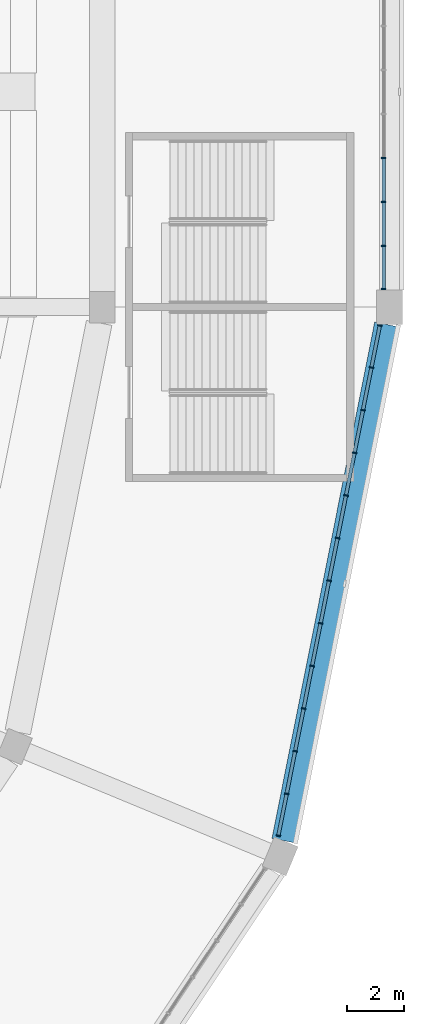
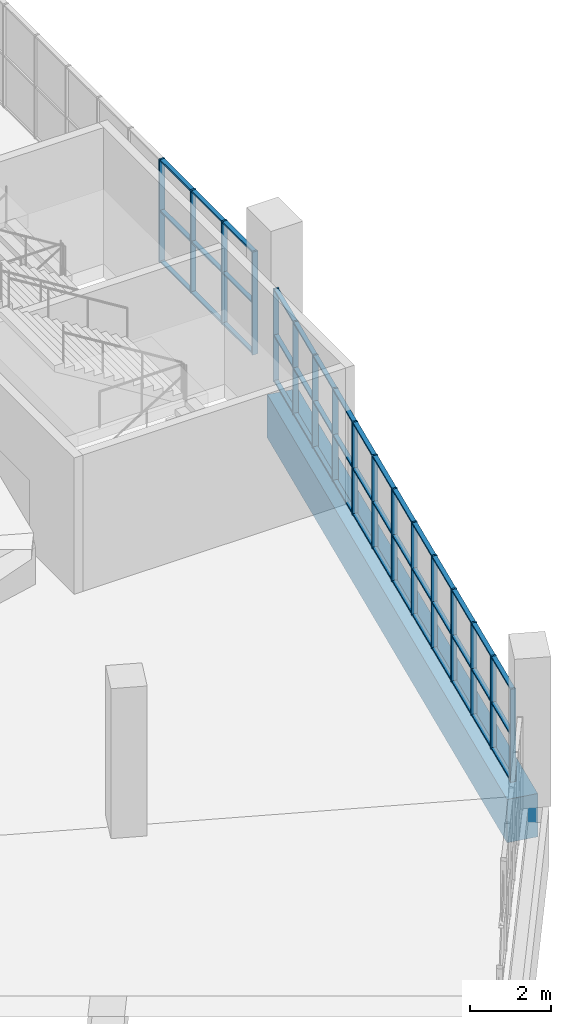
# One storey, part 31 of 249: 62 members, 1 beam, 2 elements without a shape of their own.
"""IFC4 building model written with IfcOpenShell, lengths in metres."""

from ifc_helpers import new_model, si_unit, direction, frame, origin, origin_2d, place, context, subcontext, project, spatial, rectangle, extrude, material, material_profile, profile_set, type_object, element, aggregate, save


model = new_model("IFC4")

# Units and contexts
model_context = context("Model", 3, precision=1e-05, world=origin(), true_north=direction((0.0, 1.0)))
body_context = subcontext(model_context, "Body", "Model", "MODEL_VIEW")
ifc_project = project(units=[si_unit("LENGTHUNIT", "METRE"), si_unit("AREAUNIT", "SQUARE_METRE"), si_unit("VOLUMEUNIT", "CUBIC_METRE"), si_unit("PLANEANGLEUNIT", "RADIAN"), si_unit("MASSUNIT", "GRAM", prefix="KILO")], contexts=[model_context])

# Site, building, storey
site_placement = place(None, origin())
site = spatial("IfcSite", under=ifc_project, at=site_placement, CompositionType="ELEMENT")
building_placement = place(site_placement, origin())
building = spatial("IfcBuilding", under=site, at=building_placement, Name="Ogive Plaza Stadium", CompositionType="ELEMENT")
storey_placement = place(building_placement, frame((0.0, 0.0, 13.5)))
storey = spatial("IfcBuildingStorey", under=building, at=storey_placement, Name="L03", CompositionType="ELEMENT", Elevation=13.5)

# Curtain wall, members
ifc_material_1 = material(Name="Bronze-anodised aluminium with laminated glass", Category="aluminium")
curtain_wall_type = type_object("IfcCurtainWallType", Name="Lancet curtain wall", PredefinedType="NOTDEFINED", material=ifc_material_1)
curtain_wall_1_placement = place(storey_placement, origin())
curtain_wall_1 = element("IfcCurtainWall", 1, at=curtain_wall_1_placement, inside=storey, type_object=curtain_wall_type, Name="CURTAIN WALL B07 L03", PredefinedType="NOTDEFINED")
ifc_material_2 = material(Name="Bronze-anodised aluminium", Category="aluminium")
ifc_material_profile_1 = material_profile(ifc_material_2, rectangle(XDim=0.14990234375, YDim=0.050048828125, at=origin_2d()), Name="AL 150x50")
ifc_profile_set_1 = profile_set([ifc_material_profile_1], Name="Bronze-anodised aluminium")
member_type_1 = type_object("IfcMemberType", Name="Curtain wall mullion 50x150", PredefinedType="MULLION", material=ifc_profile_set_1)
member_1_placement = place(storey_placement, frame((83.800048828125, -47.300048828125, 0.0), z_axis=(0.0, 0.0, 1.0), x_axis=(1.0, 0.0, 0.0)))
member_1 = element("IfcMember", 2, at=member_1_placement, type_object=member_type_1, Name="CW-B07-L03 mullion 7", PredefinedType="MULLION", context=body_context, shape_type="SweptSolid", body=[
    extrude(rectangle(XDim=0.14990234375, YDim=0.050048828125, at=origin_2d()), origin(), (0.0, 0.0, 1.0), 3.090087890625),
])
member_2_placement = place(storey_placement, frame((83.800048828125, -48.833251953125, 0.0), z_axis=(0.0, 0.0, 1.0), x_axis=(1.0, 0.0, 0.0)))
member_2 = element("IfcMember", 3, at=member_2_placement, type_object=member_type_1, Name="CW-B07-L03 mullion 8", PredefinedType="MULLION", context=body_context, shape_type="SweptSolid", body=[
    extrude(rectangle(XDim=0.14990234375, YDim=0.050048828125, at=origin_2d()), origin(), (0.0, 0.0, 1.0), 3.090087890625),
])
member_3_placement = place(storey_placement, frame((83.800048828125, -50.36669921875, 0.0), z_axis=(0.0, 0.0, 1.0), x_axis=(1.0, 0.0, 0.0)))
member_3 = element("IfcMember", 4, at=member_3_placement, type_object=member_type_1, Name="CW-B07-L03 mullion 9", PredefinedType="MULLION", context=body_context, shape_type="SweptSolid", body=[
    extrude(rectangle(XDim=0.14990234375, YDim=0.050048828125, at=origin_2d()), origin(), (0.0, 0.0, 1.0), 3.090087890625),
])
member_4_placement = place(storey_placement, frame((83.800048828125, -51.875, 0.0), z_axis=(0.0, 0.0, 1.0), x_axis=(1.0, 0.0, 0.0)))
member_4 = element("IfcMember", 5, at=member_4_placement, type_object=member_type_1, Name="CW-B07-L03 mullion 10", PredefinedType="MULLION", context=body_context, shape_type="SweptSolid", body=[
    extrude(rectangle(XDim=0.14990234375, YDim=0.050048828125, at=origin_2d()), origin(), (0.0, 0.0, 1.0), 3.090087890625),
])

curtain_wall_2_placement = place(storey_placement, origin())
curtain_wall_2 = element("IfcCurtainWall", 6, at=curtain_wall_2_placement, inside=storey, type_object=curtain_wall_type, Name="CURTAIN WALL B08 L03", PredefinedType="NOTDEFINED")
member_5_placement = place(storey_placement, frame((83.66796875, -53.14404296875, 0.0), z_axis=(0.0, 0.0, 1.0), x_axis=(0.980785280403, -0.195090322016, 0.0)))
member_5 = element("IfcMember", 7, at=member_5_placement, type_object=member_type_1, Name="CW-B08-L03 mullion 1", PredefinedType="MULLION", context=body_context, shape_type="SweptSolid", body=[
    extrude(rectangle(XDim=0.14990234375, YDim=0.050048828125, at=origin_2d()), origin(), (0.0, 0.0, 1.0), 2.7900390625),
])
member_6_placement = place(storey_placement, frame((83.37744140625, -54.604248046875, 0.0), z_axis=(0.0, 0.0, 1.0), x_axis=(0.980785280403, -0.195090322016, 0.0)))
member_6 = element("IfcMember", 8, at=member_6_placement, type_object=member_type_1, Name="CW-B08-L03 mullion 2", PredefinedType="MULLION", context=body_context, shape_type="SweptSolid", body=[
    extrude(rectangle(XDim=0.14990234375, YDim=0.050048828125, at=origin_2d()), origin(), (0.0, 0.0, 1.0), 2.7900390625),
])
member_7_placement = place(storey_placement, frame((83.082275390625, -56.089111328125, 0.0), z_axis=(0.0, 0.0, 1.0), x_axis=(0.980785280403, -0.195090322016, 0.0)))
member_7 = element("IfcMember", 9, at=member_7_placement, type_object=member_type_1, Name="CW-B08-L03 mullion 3", PredefinedType="MULLION", context=body_context, shape_type="SweptSolid", body=[
    extrude(rectangle(XDim=0.14990234375, YDim=0.050048828125, at=origin_2d()), origin(), (0.0, 0.0, 1.0), 2.7900390625),
])
member_8_placement = place(storey_placement, frame((82.786865234375, -57.57373046875, 0.0), z_axis=(0.0, 0.0, 1.0), x_axis=(0.980785280403, -0.195090322016, 0.0)))
member_8 = element("IfcMember", 10, at=member_8_placement, type_object=member_type_1, Name="CW-B08-L03 mullion 4", PredefinedType="MULLION", context=body_context, shape_type="SweptSolid", body=[
    extrude(rectangle(XDim=0.14990234375, YDim=0.050048828125, at=origin_2d()), origin(), (0.0, 0.0, 1.0), 2.7900390625),
])
member_9_placement = place(storey_placement, frame((82.491455078125, -59.05859375, 0.0), z_axis=(0.0, 0.0, 1.0), x_axis=(0.980785280403, -0.195090322016, 0.0)))
member_9 = element("IfcMember", 11, at=member_9_placement, type_object=member_type_1, Name="CW-B08-L03 mullion 5", PredefinedType="MULLION", context=body_context, shape_type="SweptSolid", body=[
    extrude(rectangle(XDim=0.14990234375, YDim=0.050048828125, at=origin_2d()), origin(), (0.0, 0.0, 1.0), 2.7900390625),
])
member_10_placement = place(storey_placement, frame((82.1962890625, -60.543212890625, 0.0), z_axis=(0.0, 0.0, 1.0), x_axis=(0.980785280403, -0.195090322016, 0.0)))
member_10 = element("IfcMember", 12, at=member_10_placement, type_object=member_type_1, Name="CW-B08-L03 mullion 6", PredefinedType="MULLION", context=body_context, shape_type="SweptSolid", body=[
    extrude(rectangle(XDim=0.14990234375, YDim=0.050048828125, at=origin_2d()), origin(), (0.0, 0.0, 1.0), 2.7900390625),
])
member_11_placement = place(storey_placement, frame((81.90087890625, -62.028076171875, 0.0), z_axis=(0.0, 0.0, 1.0), x_axis=(0.980785280403, -0.195090322016, 0.0)))
member_11 = element("IfcMember", 13, at=member_11_placement, type_object=member_type_1, Name="CW-B08-L03 mullion 7", PredefinedType="MULLION", context=body_context, shape_type="SweptSolid", body=[
    extrude(rectangle(XDim=0.14990234375, YDim=0.050048828125, at=origin_2d()), origin(), (0.0, 0.0, 1.0), 2.7900390625),
])
member_12_placement = place(storey_placement, frame((81.60546875, -63.512939453125, 0.0), z_axis=(0.0, 0.0, 1.0), x_axis=(0.980785280403, -0.195090322016, 0.0)))
member_12 = element("IfcMember", 14, at=member_12_placement, type_object=member_type_1, Name="CW-B08-L03 mullion 8", PredefinedType="MULLION", context=body_context, shape_type="SweptSolid", body=[
    extrude(rectangle(XDim=0.14990234375, YDim=0.050048828125, at=origin_2d()), origin(), (0.0, 0.0, 1.0), 2.7900390625),
])
member_13_placement = place(storey_placement, frame((81.31005859375, -64.99755859375, 0.0), z_axis=(0.0, 0.0, 1.0), x_axis=(0.980785280403, -0.195090322016, 0.0)))
member_13 = element("IfcMember", 15, at=member_13_placement, type_object=member_type_1, Name="CW-B08-L03 mullion 9", PredefinedType="MULLION", context=body_context, shape_type="SweptSolid", body=[
    extrude(rectangle(XDim=0.14990234375, YDim=0.050048828125, at=origin_2d()), origin(), (0.0, 0.0, 1.0), 2.7900390625),
])
member_14_placement = place(storey_placement, frame((81.014892578125, -66.482421875, 0.0), z_axis=(0.0, 0.0, 1.0), x_axis=(0.980785280403, -0.195090322016, 0.0)))
member_14 = element("IfcMember", 16, at=member_14_placement, type_object=member_type_1, Name="CW-B08-L03 mullion 10", PredefinedType="MULLION", context=body_context, shape_type="SweptSolid", body=[
    extrude(rectangle(XDim=0.14990234375, YDim=0.050048828125, at=origin_2d()), origin(), (0.0, 0.0, 1.0), 2.7900390625),
])
member_15_placement = place(storey_placement, frame((80.719482421875, -67.967041015625, 0.0), z_axis=(0.0, 0.0, 1.0), x_axis=(0.980785280403, -0.195090322016, 0.0)))
member_15 = element("IfcMember", 17, at=member_15_placement, type_object=member_type_1, Name="CW-B08-L03 mullion 11", PredefinedType="MULLION", context=body_context, shape_type="SweptSolid", body=[
    extrude(rectangle(XDim=0.14990234375, YDim=0.050048828125, at=origin_2d()), origin(), (0.0, 0.0, 1.0), 2.7900390625),
])
member_16_placement = place(storey_placement, frame((80.424072265625, -69.451904296875, 0.0), z_axis=(0.0, 0.0, 1.0), x_axis=(0.980785280403, -0.195090322016, 0.0)))
member_16 = element("IfcMember", 18, at=member_16_placement, type_object=member_type_1, Name="CW-B08-L03 mullion 12", PredefinedType="MULLION", context=body_context, shape_type="SweptSolid", body=[
    extrude(rectangle(XDim=0.14990234375, YDim=0.050048828125, at=origin_2d()), origin(), (0.0, 0.0, 1.0), 2.7900390625),
])
member_17_placement = place(storey_placement, frame((80.1337890625, -70.912109375, 0.0), z_axis=(0.0, 0.0, 1.0), x_axis=(0.980785280403, -0.195090322016, 0.0)))
member_17 = element("IfcMember", 19, at=member_17_placement, type_object=member_type_1, Name="CW-B08-L03 mullion 13", PredefinedType="MULLION", context=body_context, shape_type="SweptSolid", body=[
    extrude(rectangle(XDim=0.14990234375, YDim=0.050048828125, at=origin_2d()), origin(), (0.0, 0.0, 1.0), 2.7900390625),
])

# Member
ifc_material_3 = material(Name="Bronze-anodised aluminium", Category="aluminium")
ifc_material_profile_2 = material_profile(ifc_material_3, rectangle(XDim=0.1201171875, YDim=0.050048828125, at=origin_2d()), Name="AL 120x50")
ifc_profile_set_2 = profile_set([ifc_material_profile_2], Name="Bronze-anodised aluminium")
member_type_2 = type_object("IfcMemberType", Name="Curtain wall transom 50x120", PredefinedType="USERDEFINED", material=ifc_profile_set_2)
member_18_placement = place(storey_placement, frame((83.800048828125, -47.324951171875, 0.02490234375), z_axis=(0.0, -1.0, 0.0), x_axis=(1.0, 0.0, 0.0)))
member_18 = element("IfcMember", 20, at=member_18_placement, type_object=member_type_2, Name="CW-B07-L03 transom 7.1", ObjectType="TRANSOM", PredefinedType="USERDEFINED", context=body_context, shape_type="SweptSolid", body=[
    extrude(rectangle(XDim=0.1201171875, YDim=0.050048828125, at=origin_2d()), origin(), (0.0, 0.0, 1.0), 1.4833984375),
])

member_19_placement = place(storey_placement, frame((83.800048828125, -47.324951171875, 1.544921875), z_axis=(0.0, -1.0, 0.0), x_axis=(1.0, 0.0, 0.0)))
member_19 = element("IfcMember", 21, at=member_19_placement, type_object=member_type_2, Name="CW-B07-L03 transom 7.2", ObjectType="TRANSOM", PredefinedType="USERDEFINED", context=body_context, shape_type="SweptSolid", body=[
    extrude(rectangle(XDim=0.1201171875, YDim=0.050048828125, at=origin_2d()), origin(), (0.0, 0.0, 1.0), 1.4833984375),
])

member_20_placement = place(storey_placement, frame((83.800048828125, -47.324951171875, 3.06494140625), z_axis=(0.0, -1.0, 0.0), x_axis=(1.0, 0.0, 0.0)))
member_20 = element("IfcMember", 22, at=member_20_placement, type_object=member_type_2, Name="CW-B07-L03 transom 7.3", ObjectType="TRANSOM", PredefinedType="USERDEFINED", context=body_context, shape_type="SweptSolid", body=[
    extrude(rectangle(XDim=0.1201171875, YDim=0.050048828125, at=origin_2d()), origin(), (0.0, 0.0, 1.0), 1.4833984375),
])

member_21_placement = place(storey_placement, frame((83.800048828125, -48.8583984375, 0.02490234375), z_axis=(0.0, -1.0, 0.0), x_axis=(1.0, 0.0, 0.0)))
member_21 = element("IfcMember", 23, at=member_21_placement, type_object=member_type_2, Name="CW-B07-L03 transom 8.1", ObjectType="TRANSOM", PredefinedType="USERDEFINED", context=body_context, shape_type="SweptSolid", body=[
    extrude(rectangle(XDim=0.1201171875, YDim=0.050048828125, at=origin_2d()), origin(), (0.0, 0.0, 1.0), 1.483154296875),
])

member_22_placement = place(storey_placement, frame((83.800048828125, -48.8583984375, 1.544921875), z_axis=(0.0, -1.0, 0.0), x_axis=(1.0, 0.0, 0.0)))
member_22 = element("IfcMember", 24, at=member_22_placement, type_object=member_type_2, Name="CW-B07-L03 transom 8.2", ObjectType="TRANSOM", PredefinedType="USERDEFINED", context=body_context, shape_type="SweptSolid", body=[
    extrude(rectangle(XDim=0.1201171875, YDim=0.050048828125, at=origin_2d()), origin(), (0.0, 0.0, 1.0), 1.483154296875),
])

member_23_placement = place(storey_placement, frame((83.800048828125, -48.8583984375, 3.06494140625), z_axis=(0.0, -1.0, 0.0), x_axis=(1.0, 0.0, 0.0)))
member_23 = element("IfcMember", 25, at=member_23_placement, type_object=member_type_2, Name="CW-B07-L03 transom 8.3", ObjectType="TRANSOM", PredefinedType="USERDEFINED", context=body_context, shape_type="SweptSolid", body=[
    extrude(rectangle(XDim=0.1201171875, YDim=0.050048828125, at=origin_2d()), origin(), (0.0, 0.0, 1.0), 1.483154296875),
])

member_24_placement = place(storey_placement, frame((83.800048828125, -50.3916015625, 0.02490234375), z_axis=(0.0, -1.0, 0.0), x_axis=(1.0, 0.0, 0.0)))
member_24 = element("IfcMember", 26, at=member_24_placement, type_object=member_type_2, Name="CW-B07-L03 transom 9.1", ObjectType="TRANSOM", PredefinedType="USERDEFINED", context=body_context, shape_type="SweptSolid", body=[
    extrude(rectangle(XDim=0.1201171875, YDim=0.050048828125, at=origin_2d()), origin(), (0.0, 0.0, 1.0), 1.45849609375),
])

member_25_placement = place(storey_placement, frame((83.800048828125, -50.3916015625, 1.544921875), z_axis=(0.0, -1.0, 0.0), x_axis=(1.0, 0.0, 0.0)))
member_25 = element("IfcMember", 27, at=member_25_placement, type_object=member_type_2, Name="CW-B07-L03 transom 9.2", ObjectType="TRANSOM", PredefinedType="USERDEFINED", context=body_context, shape_type="SweptSolid", body=[
    extrude(rectangle(XDim=0.1201171875, YDim=0.050048828125, at=origin_2d()), origin(), (0.0, 0.0, 1.0), 1.45849609375),
])

member_26_placement = place(storey_placement, frame((83.800048828125, -50.3916015625, 3.06494140625), z_axis=(0.0, -1.0, 0.0), x_axis=(1.0, 0.0, 0.0)))
member_26 = element("IfcMember", 28, at=member_26_placement, type_object=member_type_2, Name="CW-B07-L03 transom 9.3", ObjectType="TRANSOM", PredefinedType="USERDEFINED", context=body_context, shape_type="SweptSolid", body=[
    extrude(rectangle(XDim=0.1201171875, YDim=0.050048828125, at=origin_2d()), origin(), (0.0, 0.0, 1.0), 1.45849609375),
])

aggregate(curtain_wall_1, [member_1, member_2, member_3, member_4, member_18, member_19, member_20, member_21, member_22, member_23, member_24, member_25, member_26])

member_27_placement = place(storey_placement, frame((83.6630859375, -53.16845703125, 0.02490234375), z_axis=(-0.195104618913, -0.980782436465, 0.0), x_axis=(0.980782436465, -0.195104618913, 0.0)))
member_27 = element("IfcMember", 29, at=member_27_placement, type_object=member_type_2, Name="CW-B08-L03 transom 1.1", ObjectType="TRANSOM", PredefinedType="USERDEFINED", context=body_context, shape_type="SweptSolid", body=[
    extrude(rectangle(XDim=0.1201171875, YDim=0.050048828125, at=origin_2d()), origin(), (0.0, 0.0, 1.0), 1.43896484375),
])

member_28_placement = place(storey_placement, frame((83.6630859375, -53.16845703125, 1.39501953125), z_axis=(-0.195104618913, -0.980782436465, 0.0), x_axis=(0.980782436465, -0.195104618913, 0.0)))
member_28 = element("IfcMember", 30, at=member_28_placement, type_object=member_type_2, Name="CW-B08-L03 transom 1.2", ObjectType="TRANSOM", PredefinedType="USERDEFINED", context=body_context, shape_type="SweptSolid", body=[
    extrude(rectangle(XDim=0.1201171875, YDim=0.050048828125, at=origin_2d()), origin(), (0.0, 0.0, 1.0), 1.43896484375),
])

member_29_placement = place(storey_placement, frame((83.6630859375, -53.16845703125, 2.764892578125), z_axis=(-0.195104618913, -0.980782436465, 0.0), x_axis=(0.980782436465, -0.195104618913, 0.0)))
member_29 = element("IfcMember", 31, at=member_29_placement, type_object=member_type_2, Name="CW-B08-L03 transom 1.3", ObjectType="TRANSOM", PredefinedType="USERDEFINED", context=body_context, shape_type="SweptSolid", body=[
    extrude(rectangle(XDim=0.1201171875, YDim=0.050048828125, at=origin_2d()), origin(), (0.0, 0.0, 1.0), 1.43896484375),
])

member_30_placement = place(storey_placement, frame((83.37255859375, -54.62890625, 0.02490234375), z_axis=(-0.194993290732, -0.980804576136, 0.0), x_axis=(0.980804576136, -0.194993290732, 0.0)))
member_30 = element("IfcMember", 32, at=member_30_placement, type_object=member_type_2, Name="CW-B08-L03 transom 2.1", ObjectType="TRANSOM", PredefinedType="USERDEFINED", context=body_context, shape_type="SweptSolid", body=[
    extrude(rectangle(XDim=0.1201171875, YDim=0.050048828125, at=origin_2d()), origin(), (0.0, 0.0, 1.0), 1.463623046875),
])

member_31_placement = place(storey_placement, frame((83.37255859375, -54.62890625, 1.39501953125), z_axis=(-0.194993290732, -0.980804576136, 0.0), x_axis=(0.980804576136, -0.194993290732, 0.0)))
member_31 = element("IfcMember", 33, at=member_31_placement, type_object=member_type_2, Name="CW-B08-L03 transom 2.2", ObjectType="TRANSOM", PredefinedType="USERDEFINED", context=body_context, shape_type="SweptSolid", body=[
    extrude(rectangle(XDim=0.1201171875, YDim=0.050048828125, at=origin_2d()), origin(), (0.0, 0.0, 1.0), 1.463623046875),
])

member_32_placement = place(storey_placement, frame((83.37255859375, -54.62890625, 2.764892578125), z_axis=(-0.194993290732, -0.980804576136, 0.0), x_axis=(0.980804576136, -0.194993290732, 0.0)))
member_32 = element("IfcMember", 34, at=member_32_placement, type_object=member_type_2, Name="CW-B08-L03 transom 2.3", ObjectType="TRANSOM", PredefinedType="USERDEFINED", context=body_context, shape_type="SweptSolid", body=[
    extrude(rectangle(XDim=0.1201171875, YDim=0.050048828125, at=origin_2d()), origin(), (0.0, 0.0, 1.0), 1.463623046875),
])

member_33_placement = place(storey_placement, frame((83.077392578125, -56.113525390625, 0.02490234375), z_axis=(-0.195121823859, -0.980779013771, 0.0), x_axis=(0.980779013771, -0.195121823859, 0.0)))
member_33 = element("IfcMember", 35, at=member_33_placement, type_object=member_type_2, Name="CW-B08-L03 transom 3.1", ObjectType="TRANSOM", PredefinedType="USERDEFINED", context=body_context, shape_type="SweptSolid", body=[
    extrude(rectangle(XDim=0.1201171875, YDim=0.050048828125, at=origin_2d()), origin(), (0.0, 0.0, 1.0), 1.4638671875),
])

member_34_placement = place(storey_placement, frame((83.077392578125, -56.113525390625, 1.39501953125), z_axis=(-0.195121823859, -0.980779013771, 0.0), x_axis=(0.980779013771, -0.195121823859, 0.0)))
member_34 = element("IfcMember", 36, at=member_34_placement, type_object=member_type_2, Name="CW-B08-L03 transom 3.2", ObjectType="TRANSOM", PredefinedType="USERDEFINED", context=body_context, shape_type="SweptSolid", body=[
    extrude(rectangle(XDim=0.1201171875, YDim=0.050048828125, at=origin_2d()), origin(), (0.0, 0.0, 1.0), 1.4638671875),
])

member_35_placement = place(storey_placement, frame((83.077392578125, -56.113525390625, 2.764892578125), z_axis=(-0.195121823859, -0.980779013771, 0.0), x_axis=(0.980779013771, -0.195121823859, 0.0)))
member_35 = element("IfcMember", 37, at=member_35_placement, type_object=member_type_2, Name="CW-B08-L03 transom 3.3", ObjectType="TRANSOM", PredefinedType="USERDEFINED", context=body_context, shape_type="SweptSolid", body=[
    extrude(rectangle(XDim=0.1201171875, YDim=0.050048828125, at=origin_2d()), origin(), (0.0, 0.0, 1.0), 1.4638671875),
])

member_36_placement = place(storey_placement, frame((82.781982421875, -57.598388671875, 0.02490234375), z_axis=(-0.195153744134, -0.980772662828, 0.0), x_axis=(0.980772662828, -0.195153744134, 0.0)))
member_36 = element("IfcMember", 38, at=member_36_placement, type_object=member_type_2, Name="CW-B08-L03 transom 4.1", ObjectType="TRANSOM", PredefinedType="USERDEFINED", context=body_context, shape_type="SweptSolid", body=[
    extrude(rectangle(XDim=0.1201171875, YDim=0.050048828125, at=origin_2d()), origin(), (0.0, 0.0, 1.0), 1.463623046875),
])

member_37_placement = place(storey_placement, frame((82.781982421875, -57.598388671875, 1.39501953125), z_axis=(-0.195153744134, -0.980772662828, 0.0), x_axis=(0.980772662828, -0.195153744134, 0.0)))
member_37 = element("IfcMember", 39, at=member_37_placement, type_object=member_type_2, Name="CW-B08-L03 transom 4.2", ObjectType="TRANSOM", PredefinedType="USERDEFINED", context=body_context, shape_type="SweptSolid", body=[
    extrude(rectangle(XDim=0.1201171875, YDim=0.050048828125, at=origin_2d()), origin(), (0.0, 0.0, 1.0), 1.463623046875),
])

member_38_placement = place(storey_placement, frame((82.781982421875, -57.598388671875, 2.764892578125), z_axis=(-0.195153744134, -0.980772662828, 0.0), x_axis=(0.980772662828, -0.195153744134, 0.0)))
member_38 = element("IfcMember", 40, at=member_38_placement, type_object=member_type_2, Name="CW-B08-L03 transom 4.3", ObjectType="TRANSOM", PredefinedType="USERDEFINED", context=body_context, shape_type="SweptSolid", body=[
    extrude(rectangle(XDim=0.1201171875, YDim=0.050048828125, at=origin_2d()), origin(), (0.0, 0.0, 1.0), 1.463623046875),
])

member_39_placement = place(storey_placement, frame((82.486572265625, -59.0830078125, 0.02490234375), z_axis=(-0.195121823859, -0.980779013771, 0.0), x_axis=(0.980779013771, -0.195121823859, 0.0)))
member_39 = element("IfcMember", 41, at=member_39_placement, type_object=member_type_2, Name="CW-B08-L03 transom 5.1", ObjectType="TRANSOM", PredefinedType="USERDEFINED", context=body_context, shape_type="SweptSolid", body=[
    extrude(rectangle(XDim=0.1201171875, YDim=0.050048828125, at=origin_2d()), origin(), (0.0, 0.0, 1.0), 1.4638671875),
])

member_40_placement = place(storey_placement, frame((82.486572265625, -59.0830078125, 1.39501953125), z_axis=(-0.195121823859, -0.980779013771, 0.0), x_axis=(0.980779013771, -0.195121823859, 0.0)))
member_40 = element("IfcMember", 42, at=member_40_placement, type_object=member_type_2, Name="CW-B08-L03 transom 5.2", ObjectType="TRANSOM", PredefinedType="USERDEFINED", context=body_context, shape_type="SweptSolid", body=[
    extrude(rectangle(XDim=0.1201171875, YDim=0.050048828125, at=origin_2d()), origin(), (0.0, 0.0, 1.0), 1.4638671875),
])

member_41_placement = place(storey_placement, frame((82.486572265625, -59.0830078125, 2.764892578125), z_axis=(-0.195121823859, -0.980779013771, 0.0), x_axis=(0.980779013771, -0.195121823859, 0.0)))
member_41 = element("IfcMember", 43, at=member_41_placement, type_object=member_type_2, Name="CW-B08-L03 transom 5.3", ObjectType="TRANSOM", PredefinedType="USERDEFINED", context=body_context, shape_type="SweptSolid", body=[
    extrude(rectangle(XDim=0.1201171875, YDim=0.050048828125, at=origin_2d()), origin(), (0.0, 0.0, 1.0), 1.4638671875),
])

member_42_placement = place(storey_placement, frame((82.19140625, -60.56787109375, 0.02490234375), z_axis=(-0.195121823859, -0.980779013771, 0.0), x_axis=(0.980779013771, -0.195121823859, 0.0)))
member_42 = element("IfcMember", 44, at=member_42_placement, type_object=member_type_2, Name="CW-B08-L03 transom 6.1", ObjectType="TRANSOM", PredefinedType="USERDEFINED", context=body_context, shape_type="SweptSolid", body=[
    extrude(rectangle(XDim=0.1201171875, YDim=0.050048828125, at=origin_2d()), origin(), (0.0, 0.0, 1.0), 1.4638671875),
])

member_43_placement = place(storey_placement, frame((82.19140625, -60.56787109375, 1.39501953125), z_axis=(-0.195121823859, -0.980779013771, 0.0), x_axis=(0.980779013771, -0.195121823859, 0.0)))
member_43 = element("IfcMember", 45, at=member_43_placement, type_object=member_type_2, Name="CW-B08-L03 transom 6.2", ObjectType="TRANSOM", PredefinedType="USERDEFINED", context=body_context, shape_type="SweptSolid", body=[
    extrude(rectangle(XDim=0.1201171875, YDim=0.050048828125, at=origin_2d()), origin(), (0.0, 0.0, 1.0), 1.4638671875),
])

member_44_placement = place(storey_placement, frame((82.19140625, -60.56787109375, 2.764892578125), z_axis=(-0.195121823859, -0.980779013771, 0.0), x_axis=(0.980779013771, -0.195121823859, 0.0)))
member_44 = element("IfcMember", 46, at=member_44_placement, type_object=member_type_2, Name="CW-B08-L03 transom 6.3", ObjectType="TRANSOM", PredefinedType="USERDEFINED", context=body_context, shape_type="SweptSolid", body=[
    extrude(rectangle(XDim=0.1201171875, YDim=0.050048828125, at=origin_2d()), origin(), (0.0, 0.0, 1.0), 1.4638671875),
])

member_45_placement = place(storey_placement, frame((81.89599609375, -62.052490234375, 0.02490234375), z_axis=(-0.195121823859, -0.980779013771, 0.0), x_axis=(0.980779013771, -0.195121823859, 0.0)))
member_45 = element("IfcMember", 47, at=member_45_placement, type_object=member_type_2, Name="CW-B08-L03 transom 7.1", ObjectType="TRANSOM", PredefinedType="USERDEFINED", context=body_context, shape_type="SweptSolid", body=[
    extrude(rectangle(XDim=0.1201171875, YDim=0.050048828125, at=origin_2d()), origin(), (0.0, 0.0, 1.0), 1.4638671875),
])

member_46_placement = place(storey_placement, frame((81.89599609375, -62.052490234375, 1.39501953125), z_axis=(-0.195121823859, -0.980779013771, 0.0), x_axis=(0.980779013771, -0.195121823859, 0.0)))
member_46 = element("IfcMember", 48, at=member_46_placement, type_object=member_type_2, Name="CW-B08-L03 transom 7.2", ObjectType="TRANSOM", PredefinedType="USERDEFINED", context=body_context, shape_type="SweptSolid", body=[
    extrude(rectangle(XDim=0.1201171875, YDim=0.050048828125, at=origin_2d()), origin(), (0.0, 0.0, 1.0), 1.4638671875),
])

member_47_placement = place(storey_placement, frame((81.89599609375, -62.052490234375, 2.764892578125), z_axis=(-0.195121823859, -0.980779013771, 0.0), x_axis=(0.980779013771, -0.195121823859, 0.0)))
member_47 = element("IfcMember", 49, at=member_47_placement, type_object=member_type_2, Name="CW-B08-L03 transom 7.3", ObjectType="TRANSOM", PredefinedType="USERDEFINED", context=body_context, shape_type="SweptSolid", body=[
    extrude(rectangle(XDim=0.1201171875, YDim=0.050048828125, at=origin_2d()), origin(), (0.0, 0.0, 1.0), 1.4638671875),
])

member_48_placement = place(storey_placement, frame((81.6005859375, -63.537353515625, 0.02490234375), z_axis=(-0.195121823859, -0.980779013771, 0.0), x_axis=(0.980779013771, -0.195121823859, 0.0)))
member_48 = element("IfcMember", 50, at=member_48_placement, type_object=member_type_2, Name="CW-B08-L03 transom 8.1", ObjectType="TRANSOM", PredefinedType="USERDEFINED", context=body_context, shape_type="SweptSolid", body=[
    extrude(rectangle(XDim=0.1201171875, YDim=0.050048828125, at=origin_2d()), origin(), (0.0, 0.0, 1.0), 1.4638671875),
])

member_49_placement = place(storey_placement, frame((81.6005859375, -63.537353515625, 1.39501953125), z_axis=(-0.195121823859, -0.980779013771, 0.0), x_axis=(0.980779013771, -0.195121823859, 0.0)))
member_49 = element("IfcMember", 51, at=member_49_placement, type_object=member_type_2, Name="CW-B08-L03 transom 8.2", ObjectType="TRANSOM", PredefinedType="USERDEFINED", context=body_context, shape_type="SweptSolid", body=[
    extrude(rectangle(XDim=0.1201171875, YDim=0.050048828125, at=origin_2d()), origin(), (0.0, 0.0, 1.0), 1.4638671875),
])

member_50_placement = place(storey_placement, frame((81.6005859375, -63.537353515625, 2.764892578125), z_axis=(-0.195121823859, -0.980779013771, 0.0), x_axis=(0.980779013771, -0.195121823859, 0.0)))
member_50 = element("IfcMember", 52, at=member_50_placement, type_object=member_type_2, Name="CW-B08-L03 transom 8.3", ObjectType="TRANSOM", PredefinedType="USERDEFINED", context=body_context, shape_type="SweptSolid", body=[
    extrude(rectangle(XDim=0.1201171875, YDim=0.050048828125, at=origin_2d()), origin(), (0.0, 0.0, 1.0), 1.4638671875),
])

member_51_placement = place(storey_placement, frame((81.30517578125, -65.022216796875, 0.02490234375), z_axis=(-0.194993290732, -0.980804576136, 0.0), x_axis=(0.980804576136, -0.194993290732, 0.0)))
member_51 = element("IfcMember", 53, at=member_51_placement, type_object=member_type_2, Name="CW-B08-L03 transom 9.1", ObjectType="TRANSOM", PredefinedType="USERDEFINED", context=body_context, shape_type="SweptSolid", body=[
    extrude(rectangle(XDim=0.1201171875, YDim=0.050048828125, at=origin_2d()), origin(), (0.0, 0.0, 1.0), 1.463623046875),
])

member_52_placement = place(storey_placement, frame((81.30517578125, -65.022216796875, 1.39501953125), z_axis=(-0.194993290732, -0.980804576136, 0.0), x_axis=(0.980804576136, -0.194993290732, 0.0)))
member_52 = element("IfcMember", 54, at=member_52_placement, type_object=member_type_2, Name="CW-B08-L03 transom 9.2", ObjectType="TRANSOM", PredefinedType="USERDEFINED", context=body_context, shape_type="SweptSolid", body=[
    extrude(rectangle(XDim=0.1201171875, YDim=0.050048828125, at=origin_2d()), origin(), (0.0, 0.0, 1.0), 1.463623046875),
])

member_53_placement = place(storey_placement, frame((81.30517578125, -65.022216796875, 2.764892578125), z_axis=(-0.194993290732, -0.980804576136, 0.0), x_axis=(0.980804576136, -0.194993290732, 0.0)))
member_53 = element("IfcMember", 55, at=member_53_placement, type_object=member_type_2, Name="CW-B08-L03 transom 9.3", ObjectType="TRANSOM", PredefinedType="USERDEFINED", context=body_context, shape_type="SweptSolid", body=[
    extrude(rectangle(XDim=0.1201171875, YDim=0.050048828125, at=origin_2d()), origin(), (0.0, 0.0, 1.0), 1.463623046875),
])

member_54_placement = place(storey_placement, frame((81.010009765625, -66.5068359375, 0.02490234375), z_axis=(-0.195121823859, -0.980779013771, 0.0), x_axis=(0.980779013771, -0.195121823859, 0.0)))
member_54 = element("IfcMember", 56, at=member_54_placement, type_object=member_type_2, Name="CW-B08-L03 transom 10.1", ObjectType="TRANSOM", PredefinedType="USERDEFINED", context=body_context, shape_type="SweptSolid", body=[
    extrude(rectangle(XDim=0.1201171875, YDim=0.050048828125, at=origin_2d()), origin(), (0.0, 0.0, 1.0), 1.4638671875),
])

member_55_placement = place(storey_placement, frame((81.010009765625, -66.5068359375, 1.39501953125), z_axis=(-0.195121823859, -0.980779013771, 0.0), x_axis=(0.980779013771, -0.195121823859, 0.0)))
member_55 = element("IfcMember", 57, at=member_55_placement, type_object=member_type_2, Name="CW-B08-L03 transom 10.2", ObjectType="TRANSOM", PredefinedType="USERDEFINED", context=body_context, shape_type="SweptSolid", body=[
    extrude(rectangle(XDim=0.1201171875, YDim=0.050048828125, at=origin_2d()), origin(), (0.0, 0.0, 1.0), 1.4638671875),
])

member_56_placement = place(storey_placement, frame((81.010009765625, -66.5068359375, 2.764892578125), z_axis=(-0.195121823859, -0.980779013771, 0.0), x_axis=(0.980779013771, -0.195121823859, 0.0)))
member_56 = element("IfcMember", 58, at=member_56_placement, type_object=member_type_2, Name="CW-B08-L03 transom 10.3", ObjectType="TRANSOM", PredefinedType="USERDEFINED", context=body_context, shape_type="SweptSolid", body=[
    extrude(rectangle(XDim=0.1201171875, YDim=0.050048828125, at=origin_2d()), origin(), (0.0, 0.0, 1.0), 1.4638671875),
])

member_57_placement = place(storey_placement, frame((80.714599609375, -67.99169921875, 0.02490234375), z_axis=(-0.195153744134, -0.980772662828, 0.0), x_axis=(0.980772662828, -0.195153744134, 0.0)))
member_57 = element("IfcMember", 59, at=member_57_placement, type_object=member_type_2, Name="CW-B08-L03 transom 11.1", ObjectType="TRANSOM", PredefinedType="USERDEFINED", context=body_context, shape_type="SweptSolid", body=[
    extrude(rectangle(XDim=0.1201171875, YDim=0.050048828125, at=origin_2d()), origin(), (0.0, 0.0, 1.0), 1.463623046875),
])

member_58_placement = place(storey_placement, frame((80.714599609375, -67.99169921875, 1.39501953125), z_axis=(-0.195153744134, -0.980772662828, 0.0), x_axis=(0.980772662828, -0.195153744134, 0.0)))
member_58 = element("IfcMember", 60, at=member_58_placement, type_object=member_type_2, Name="CW-B08-L03 transom 11.2", ObjectType="TRANSOM", PredefinedType="USERDEFINED", context=body_context, shape_type="SweptSolid", body=[
    extrude(rectangle(XDim=0.1201171875, YDim=0.050048828125, at=origin_2d()), origin(), (0.0, 0.0, 1.0), 1.463623046875),
])

member_59_placement = place(storey_placement, frame((80.714599609375, -67.99169921875, 2.764892578125), z_axis=(-0.195153744134, -0.980772662828, 0.0), x_axis=(0.980772662828, -0.195153744134, 0.0)))
member_59 = element("IfcMember", 61, at=member_59_placement, type_object=member_type_2, Name="CW-B08-L03 transom 11.3", ObjectType="TRANSOM", PredefinedType="USERDEFINED", context=body_context, shape_type="SweptSolid", body=[
    extrude(rectangle(XDim=0.1201171875, YDim=0.050048828125, at=origin_2d()), origin(), (0.0, 0.0, 1.0), 1.463623046875),
])

member_60_placement = place(storey_placement, frame((80.419189453125, -69.476318359375, 0.02490234375), z_axis=(-0.194941412722, -0.980814888552, 0.0), x_axis=(0.980814888552, -0.194941412722, 0.0)))
member_60 = element("IfcMember", 62, at=member_60_placement, type_object=member_type_2, Name="CW-B08-L03 transom 12.1", ObjectType="TRANSOM", PredefinedType="USERDEFINED", context=body_context, shape_type="SweptSolid", body=[
    extrude(rectangle(XDim=0.1201171875, YDim=0.050048828125, at=origin_2d()), origin(), (0.0, 0.0, 1.0), 1.43896484375),
])

member_61_placement = place(storey_placement, frame((80.419189453125, -69.476318359375, 1.39501953125), z_axis=(-0.194941412722, -0.980814888552, 0.0), x_axis=(0.980814888552, -0.194941412722, 0.0)))
member_61 = element("IfcMember", 63, at=member_61_placement, type_object=member_type_2, Name="CW-B08-L03 transom 12.2", ObjectType="TRANSOM", PredefinedType="USERDEFINED", context=body_context, shape_type="SweptSolid", body=[
    extrude(rectangle(XDim=0.1201171875, YDim=0.050048828125, at=origin_2d()), origin(), (0.0, 0.0, 1.0), 1.43896484375),
])

member_62_placement = place(storey_placement, frame((80.419189453125, -69.476318359375, 2.764892578125), z_axis=(-0.194941412722, -0.980814888552, 0.0), x_axis=(0.980814888552, -0.194941412722, 0.0)))
member_62 = element("IfcMember", 64, at=member_62_placement, type_object=member_type_2, Name="CW-B08-L03 transom 12.3", ObjectType="TRANSOM", PredefinedType="USERDEFINED", context=body_context, shape_type="SweptSolid", body=[
    extrude(rectangle(XDim=0.1201171875, YDim=0.050048828125, at=origin_2d()), origin(), (0.0, 0.0, 1.0), 1.43896484375),
])

aggregate(curtain_wall_2, [member_5, member_6, member_7, member_8, member_9, member_10, member_11, member_12, member_13, member_14, member_15, member_16, member_17, member_27, member_28, member_29, member_30, member_31, member_32, member_33, member_34, member_35, member_36, member_37, member_38, member_39, member_40, member_41, member_42, member_43, member_44, member_45, member_46, member_47, member_48, member_49, member_50, member_51, member_52, member_53, member_54, member_55, member_56, member_57, member_58, member_59, member_60, member_61, member_62])

# Beam
ifc_material_4 = material(Name="Concrete C40/50", Category="concrete")
ifc_material_profile_3 = material_profile(ifc_material_4, rectangle(XDim=0.800048828125, YDim=1.300048828125, at=origin_2d()), Name="RC 800x1300")
ifc_profile_set_3 = profile_set([ifc_material_profile_3], Name="Concrete C40/50")
beam_type = type_object("IfcBeamType", Name="RC spandrel beam 800x1300", PredefinedType="SPANDREL", material=ifc_profile_set_3)
beam_placement = place(storey_placement, frame((83.880615234375, -53.10009765625, -1.06005859375), z_axis=(-0.195084152283, -0.980786507619, 0.0), x_axis=(0.980786507619, -0.195084152283, 0.0)))
element("IfcBeam", 65, at=beam_placement, inside=storey, type_object=beam_type, Name="Ring beam F5 L03 B08", PredefinedType="SPANDREL", context=body_context, shape_type="SweptSolid", body=[
    extrude(rectangle(XDim=0.800048828125, YDim=1.300048828125, at=origin_2d()), origin(), (0.0, 0.0, 1.0), 18.33642578125),
])

save(model, "model.ifc")
